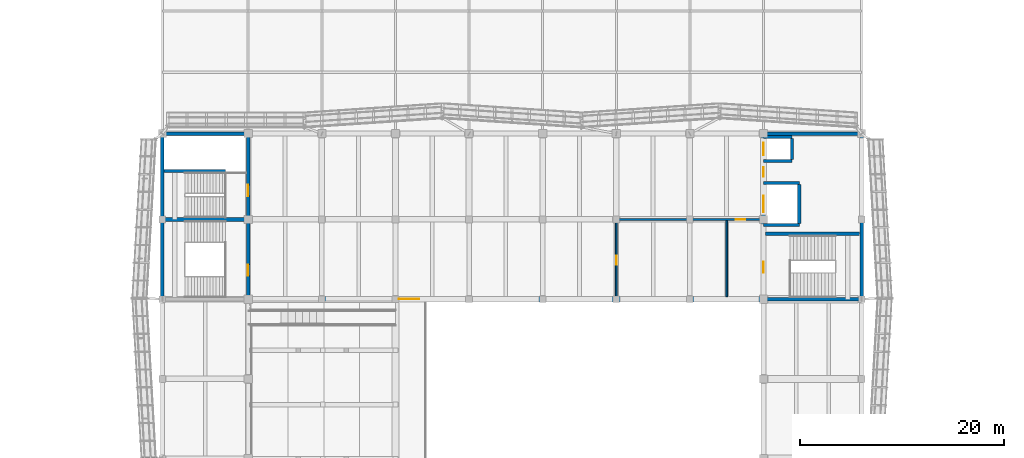
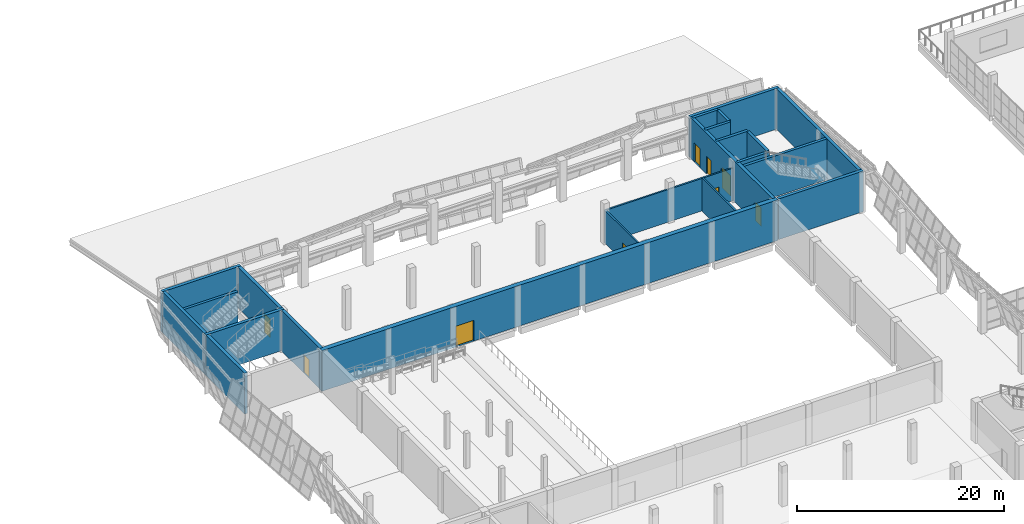
# One storey, part 67 of 79: 22 walls, 9 doors, 9 openings.
"""IFC4 building model written with IfcOpenShell, lengths in metres."""

from ifc_helpers import new_model, si_unit, direction, frame, frame_2d, origin, place, context, subcontext, project, spatial, rectangle, extrude, material, layer, layer_set, type_object, element, fill, save


model = new_model("IFC4")

# Units and contexts
model_context = context("Model", 3, precision=1e-05, world=origin(), true_north=direction((0.0, 1.0)))
body_context = subcontext(model_context, "Body", "Model", "MODEL_VIEW")
ifc_project = project(units=[si_unit("LENGTHUNIT", "METRE"), si_unit("AREAUNIT", "SQUARE_METRE"), si_unit("VOLUMEUNIT", "CUBIC_METRE"), si_unit("PLANEANGLEUNIT", "RADIAN"), si_unit("MASSUNIT", "GRAM", prefix="KILO")], contexts=[model_context])

# Site, building, storey
site_placement = place(None, origin())
site = spatial("IfcSite", under=ifc_project, at=site_placement, CompositionType="ELEMENT")
building_placement = place(site_placement, origin())
building = spatial("IfcBuilding", under=site, at=building_placement, Name="Pellamere Symphony Hall", CompositionType="ELEMENT")
storey_placement = place(building_placement, frame((0.0, 0.0, 10.199951171875)))
storey = spatial("IfcBuildingStorey", under=building, at=storey_placement, Name="L02", CompositionType="ELEMENT", Elevation=10.199951171875)

# Wall, opening, door
ifc_material_1 = material(Name="Moisture-Resistant Ceramic-Tiled Washroom Wall", Category="gypsum")
ifc_layer_1 = layer(ifc_material_1, 0.179931640625, Name="Moisture-Resistant Ceramic-Tiled Washroom Wall")
ifc_layer_set_1 = layer_set([ifc_layer_1], Name="Moisture-Resistant Ceramic-Tiled Washroom Wall")
wall_type_1 = type_object("IfcWallType", Name="Interior Partition IW-06 180mm", PredefinedType="PARTITIONING", material=ifc_layer_set_1)
wall_1_placement = place(storey_placement, frame((94.800048828125, 77.550048828125, 0.0), z_axis=(0.0, 0.0, 1.0), x_axis=(0.0, 1.0, 0.0)))
wall_1 = element("IfcWall", 1, at=wall_1_placement, inside=storey, type_object=wall_type_1, Name="Interior Partition IW-06-081 (L02)", PredefinedType="PARTITIONING", context=body_context, shape_type="SweptSolid", body=[
    extrude(rectangle(XDim=7.64990234375, YDim=0.179931640625, at=frame_2d((3.824951171875, 0.0))), origin(), (0.0, 0.0, 1.0), 3.8701171875),
])
opening_1_placement = place(wall_1_placement, frame((3.199951171875, 0.0, 0.0)))
opening_1 = element("IfcOpeningElement", 2, at=opening_1_placement, cuts=wall_1, Name="Opening ID-WC1-044", PredefinedType="OPENING", context=body_context, shape_type="SweptSolid", body=[
    extrude(rectangle(XDim=0.919921875, YDim=2.14990234375, at=frame_2d((0.4599609375, 1.074951171875))), frame((0.0, 0.099853515625, 0.0), z_axis=(0.0, -1.0, 0.0), x_axis=(1.0, 0.0, 0.0)), (0.0, 0.0, 1.0), 0.199951171875),
])
ifc_material_2 = material(Name="Accessible Washroom Privacy Door", Category="wood")
door_type_1 = type_object("IfcDoorType", Name="Interior Door ID-WC1 920x2150", OperationType="NOTDEFINED", PredefinedType="DOOR", material=ifc_material_2)
door_1_placement = place(opening_1_placement, origin())
door_1 = element("IfcDoor", 3, at=door_1_placement, inside=storey, type_object=door_type_1, Name="Upper Circle Washrooms Door", OperationType="SINGLE_SWING_RIGHT", OverallHeight=2.14990234375, OverallWidth=0.919921875, PredefinedType="DOOR", context=body_context, shape_type="SweptSolid", body=[
    extrude(rectangle(XDim=0.919921875, YDim=2.14990234375, at=frame_2d((0.4599609375, 1.074951171875))), frame((0.0, 0.02490234375, 0.0), z_axis=(0.0, -1.0, 0.0), x_axis=(1.0, 0.0, 0.0)), (0.0, 0.0, 1.0), 0.050048828125),
])
fill(opening_1, door_1)

wall_2_placement = place(storey_placement, frame((94.889892578125, 85.199951171875, 0.0), z_axis=(0.0, 0.0, 1.0), x_axis=(1.0, 0.0, 0.0)))
wall_2 = element("IfcWall", 4, at=wall_2_placement, inside=storey, type_object=wall_type_1, Name="Interior Partition IW-06-082 (L02)", PredefinedType="PARTITIONING", context=body_context, shape_type="SweptSolid", body=[
    extrude(rectangle(XDim=14.130126953125, YDim=0.179931640625, at=frame_2d((7.06494140625, 0.0))), origin(), (0.0, 0.0, 1.0), 3.840087890625),
])
opening_2_placement = place(wall_2_placement, frame((11.60009765625, 0.0, 0.0)))
opening_2 = element("IfcOpeningElement", 5, at=opening_2_placement, cuts=wall_2, Name="Opening ID-WC1-045", PredefinedType="OPENING", context=body_context, shape_type="SweptSolid", body=[
    extrude(rectangle(XDim=0.919921875, YDim=2.14990234375, at=frame_2d((0.4599609375, 1.074951171875))), frame((0.0, 0.099853515625, 0.0), z_axis=(0.0, -1.0, 0.0), x_axis=(1.0, 0.0, 0.0)), (0.0, 0.0, 1.0), 0.199951171875),
])
door_2_placement = place(opening_2_placement, origin())
door_2 = element("IfcDoor", 6, at=door_2_placement, inside=storey, type_object=door_type_1, Name="Upper Circle Accessible WC Door", OperationType="SINGLE_SWING_LEFT", OverallHeight=2.14990234375, OverallWidth=0.919921875, PredefinedType="DOOR", context=body_context, shape_type="SweptSolid", body=[
    extrude(rectangle(XDim=0.919921875, YDim=2.14990234375, at=frame_2d((0.4599609375, 1.074951171875))), frame((0.0, 0.02490234375, 0.0), z_axis=(0.0, -1.0, 0.0), x_axis=(1.0, 0.0, 0.0)), (0.0, 0.0, 1.0), 0.050048828125),
])
fill(opening_2, door_2)

# Walls
wall_3_placement = place(storey_placement, frame((105.60009765625, 77.659912109375, 0.0), z_axis=(0.0, 0.0, 1.0), x_axis=(0.0, 1.0, 0.0)))
element("IfcWall", 7, at=wall_3_placement, inside=storey, type_object=wall_type_1, Name="Interior Partition IW-06-083 (L02)", PredefinedType="PARTITIONING", context=body_context, shape_type="SweptSolid", body=[
    extrude(rectangle(XDim=7.440185546875, YDim=0.179931640625, at=frame_2d((3.72021484375, 0.0))), origin(), (0.0, 0.0, 1.0), 3.955078125),
])
ifc_material_3 = material(Name="Concrete 40 MPa", Category="concrete")
ifc_layer_2 = layer(ifc_material_3, 0.35009765625, Name="Concrete 40 MPa")
ifc_layer_set_2 = layer_set([ifc_layer_2], Name="Concrete 40 MPa")
wall_type_2 = type_object("IfcWallType", Name="Structural Wall SW-03 350mm", PredefinedType="SHEAR", material=ifc_layer_set_2)
wall_4_placement = place(storey_placement, frame((109.52001953125, 77.39990234375, 0.0), z_axis=(0.0, 0.0, 1.0), x_axis=(1.0, 0.0, 0.0)))
element("IfcWall", 8, at=wall_4_placement, inside=storey, type_object=wall_type_2, Name="Core Shear Wall C4 S (L02)", PredefinedType="SHEAR", context=body_context, shape_type="SweptSolid", body=[
    extrude(rectangle(XDim=9.455078125, YDim=0.35009765625, at=frame_2d((4.7275390625, 0.0))), origin(), (0.0, 0.0, 1.0), 4.800048828125),
])
wall_5_placement = place(storey_placement, frame((109.02490234375, 93.60009765625, 0.0), z_axis=(0.0, 0.0, 1.0), x_axis=(1.0, 0.0, 0.0)))
element("IfcWall", 9, at=wall_5_placement, inside=storey, type_object=wall_type_2, Name="Core Shear Wall C4 N (L02)", PredefinedType="SHEAR", context=body_context, shape_type="SweptSolid", body=[
    extrude(rectangle(XDim=9.9501953125, YDim=0.35009765625, at=frame_2d((4.97509765625, 0.0))), origin(), (0.0, 0.0, 1.0), 4.800048828125),
])

# Wall, openings, doors
wall_6_placement = place(storey_placement, frame((109.199951171875, 77.574951171875, 0.0), z_axis=(0.0, 0.0, 1.0), x_axis=(0.0, 1.0, 0.0)))
wall_6 = element("IfcWall", 10, at=wall_6_placement, inside=storey, type_object=wall_type_2, Name="Core Shear Wall C4 W (L02)", PredefinedType="SHEAR", context=body_context, shape_type="SweptSolid", body=[
    extrude(rectangle(XDim=15.85009765625, YDim=0.35009765625, at=frame_2d((7.925048828125, 0.0))), origin(), (0.0, 0.0, 1.0), 4.800048828125),
])
opening_3_placement = place(wall_6_placement, frame((8.324951171875, 0.0, 0.0)))
opening_3 = element("IfcOpeningElement", 11, at=opening_3_placement, cuts=wall_6, Name="Opening LD-48", PredefinedType="OPENING", context=body_context, shape_type="SweptSolid", body=[
    extrude(rectangle(XDim=1.60009765625, YDim=2.39990234375, at=frame_2d((0.800048828125, 1.199951171875))), frame((0.0, 0.18505859375, 0.0), z_axis=(0.0, -1.0, 0.0), x_axis=(1.0, 0.0, 0.0)), (0.0, 0.0, 1.0), 0.3701171875),
])
opening_4_placement = place(wall_6_placement, frame((13.925048828125, 0.0, 0.0)))
opening_4 = element("IfcOpeningElement", 12, at=opening_4_placement, cuts=wall_6, Name="Opening LD-53", PredefinedType="OPENING", context=body_context, shape_type="SweptSolid", body=[
    extrude(rectangle(XDim=1.199951171875, YDim=2.199951171875, at=frame_2d((0.60009765625, 1.10009765625))), frame((0.0, 0.18505859375, 0.0), z_axis=(0.0, -1.0, 0.0), x_axis=(1.0, 0.0, 0.0)), (0.0, 0.0, 1.0), 0.3701171875),
])
opening_5_placement = place(wall_6_placement, frame((11.7900390625, 0.0, 0.0)))
opening_5 = element("IfcOpeningElement", 13, at=opening_5_placement, cuts=wall_6, Name="Opening FD-125", PredefinedType="OPENING", context=body_context, shape_type="SweptSolid", body=[
    extrude(rectangle(XDim=0.949951171875, YDim=2.10009765625, at=frame_2d((0.47509765625, 1.050048828125))), frame((0.0, 0.18505859375, 0.0), z_axis=(0.0, -1.0, 0.0), x_axis=(1.0, 0.0, 0.0)), (0.0, 0.0, 1.0), 0.3701171875),
])
opening_6_placement = place(wall_6_placement, frame((2.39990234375, 0.0, 0.0)))
opening_6 = element("IfcOpeningElement", 14, at=opening_6_placement, cuts=wall_6, Name="Opening SD-20", PredefinedType="OPENING", context=body_context, shape_type="SweptSolid", body=[
    extrude(rectangle(XDim=1.10009765625, YDim=2.199951171875, at=frame_2d((0.550048828125, 1.10009765625))), frame((0.0, 0.18505859375, 0.0), z_axis=(0.0, -1.0, 0.0), x_axis=(1.0, 0.0, 0.0)), (0.0, 0.0, 1.0), 0.3701171875),
])
ifc_material_4 = material(Name="Two-Hour Fire-Rated Steel Compartment Door", Category="steel")
door_type_2 = type_object("IfcDoorType", Name="Interior Door ID-FD3 950x2100", OperationType="NOTDEFINED", PredefinedType="DOOR", material=ifc_material_4)
door_3_placement = place(opening_5_placement, origin())
door_3 = element("IfcDoor", 15, at=door_3_placement, inside=storey, type_object=door_type_2, Name="Core C4 Stage Service and Riser Door (L02)", OperationType="SINGLE_SWING_RIGHT", OverallHeight=2.10009765625, OverallWidth=0.949951171875, PredefinedType="DOOR", context=body_context, shape_type="SweptSolid", body=[
    extrude(rectangle(XDim=0.949951171875, YDim=2.10009765625, at=frame_2d((0.47509765625, 1.050048828125))), frame((0.0, 0.02490234375, 0.0), z_axis=(0.0, -1.0, 0.0), x_axis=(1.0, 0.0, 0.0)), (0.0, 0.0, 1.0), 0.050048828125),
])
fill(opening_5, door_3)
ifc_material_5 = material(Name="Stainless Steel AISI 316 Elevator Landing Door", Category="steel")
door_type_3 = type_object("IfcDoorType", Name="Interior Door ID-LD1 1200x2200", OperationType="NOTDEFINED", PredefinedType="DOOR", material=ifc_material_5)
door_4_placement = place(opening_4_placement, origin())
door_4 = element("IfcDoor", 16, at=door_4_placement, inside=storey, type_object=door_type_3, Name="Elevator PL6 Sliding Landing Door (L02)", OperationType="SLIDING_TO_LEFT", OverallHeight=2.199951171875, OverallWidth=1.199951171875, PredefinedType="DOOR", context=body_context, shape_type="SweptSolid", body=[
    extrude(rectangle(XDim=1.199951171875, YDim=2.199951171875, at=frame_2d((0.60009765625, 1.10009765625))), frame((0.0, 0.02490234375, 0.0), z_axis=(0.0, -1.0, 0.0), x_axis=(1.0, 0.0, 0.0)), (0.0, 0.0, 1.0), 0.050048828125),
])
fill(opening_4, door_4)
ifc_material_6 = material(Name="Heavy-Duty Stainless Freight Elevator Landing Door", Category="steel")
door_type_4 = type_object("IfcDoorType", Name="Interior Door ID-LD2 1600x2400", OperationType="NOTDEFINED", PredefinedType="DOOR", material=ifc_material_6)
door_5_placement = place(opening_3_placement, origin())
door_5 = element("IfcDoor", 17, at=door_5_placement, inside=storey, type_object=door_type_4, Name="Elevator GL1 Sliding Landing Door (L02)", OperationType="SLIDING_TO_RIGHT", OverallHeight=2.39990234375, OverallWidth=1.60009765625, PredefinedType="DOOR", context=body_context, shape_type="SweptSolid", body=[
    extrude(rectangle(XDim=1.60009765625, YDim=2.39990234375, at=frame_2d((0.800048828125, 1.199951171875))), frame((0.0, 0.02490234375, 0.0), z_axis=(0.0, -1.0, 0.0), x_axis=(1.0, 0.0, 0.0)), (0.0, 0.0, 1.0), 0.050048828125),
])
fill(opening_3, door_5)
ifc_material_7 = material(Name="Fire-Rated Steel Exit Stair Door", Category="steel")
door_type_5 = type_object("IfcDoorType", Name="Interior Door ID-SD1 1100x2200", OperationType="NOTDEFINED", PredefinedType="DOOR", material=ifc_material_7)
door_6_placement = place(opening_6_placement, frame((1.10009765625, 0.0, 0.0), z_axis=(0.0, 0.0, 1.0), x_axis=(-1.0, 0.0, 0.0)))
door_6 = element("IfcDoor", 18, at=door_6_placement, inside=storey, type_object=door_type_5, Name="Core C4 Exit Stair Door (L02)", OperationType="SINGLE_SWING_RIGHT", OverallHeight=2.199951171875, OverallWidth=1.10009765625, PredefinedType="DOOR", context=body_context, shape_type="SweptSolid", body=[
    extrude(rectangle(XDim=1.10009765625, YDim=2.199951171875, at=frame_2d((0.550048828125, 1.10009765625))), frame((0.0, 0.02490234375, 0.0), z_axis=(0.0, -1.0, 0.0), x_axis=(1.0, 0.0, 0.0)), (0.0, 0.0, 1.0), 0.050048828125),
])
fill(opening_6, door_6)

# Walls
wall_7_placement = place(storey_placement, frame((118.800048828125, 77.574951171875, 0.0), z_axis=(0.0, 0.0, 1.0), x_axis=(0.0, 1.0, 0.0)))
element("IfcWall", 19, at=wall_7_placement, inside=storey, type_object=wall_type_2, Name="Core Shear Wall C4 E (L02)", PredefinedType="SHEAR", context=body_context, shape_type="SweptSolid", body=[
    extrude(rectangle(XDim=15.85009765625, YDim=0.35009765625, at=frame_2d((7.925048828125, 0.0))), origin(), (0.0, 0.0, 1.0), 4.800048828125),
])
wall_8_placement = place(storey_placement, frame((50.22509765625, 85.199951171875, 0.0), z_axis=(0.0, 0.0, 1.0), x_axis=(1.0, 0.0, 0.0)))
element("IfcWall", 20, at=wall_8_placement, inside=storey, type_object=wall_type_2, Name="Stair ST07 Enclosure Wall N (L02)", PredefinedType="SHEAR", context=body_context, shape_type="SweptSolid", body=[
    extrude(rectangle(XDim=8.75, YDim=0.35009765625, at=frame_2d((4.375, 0.0))), origin(), (0.0, 0.0, 1.0), 4.800048828125),
])
wall_9_placement = place(storey_placement, frame((50.39990234375, 77.574951171875, 0.0), z_axis=(0.0, 0.0, 1.0), x_axis=(0.0, 1.0, 0.0)))
element("IfcWall", 21, at=wall_9_placement, inside=storey, type_object=wall_type_2, Name="Stair ST07 Enclosure Wall W (L02)", PredefinedType="SHEAR", context=body_context, shape_type="SweptSolid", body=[
    extrude(rectangle(XDim=7.449951171875, YDim=0.35009765625, at=frame_2d((3.72509765625, 0.0))), origin(), (0.0, 0.0, 1.0), 4.800048828125),
])

# Wall, opening, door
wall_10_placement = place(storey_placement, frame((58.800048828125, 77.574951171875, 0.0), z_axis=(0.0, 0.0, 1.0), x_axis=(0.0, 1.0, 0.0)))
wall_10 = element("IfcWall", 22, at=wall_10_placement, inside=storey, type_object=wall_type_2, Name="Stair ST07 Enclosure Wall E (L02)", PredefinedType="SHEAR", context=body_context, shape_type="SweptSolid", body=[
    extrude(rectangle(XDim=7.449951171875, YDim=0.35009765625, at=frame_2d((3.72509765625, 0.0))), origin(), (0.0, 0.0, 1.0), 4.800048828125),
])
opening_7_placement = place(wall_10_placement, frame((2.10009765625, 0.0, 0.0)))
opening_7 = element("IfcOpeningElement", 23, at=opening_7_placement, cuts=wall_10, Name="Opening SD-40", PredefinedType="OPENING", context=body_context, shape_type="SweptSolid", body=[
    extrude(rectangle(XDim=1.10009765625, YDim=2.199951171875, at=frame_2d((0.550048828125, 1.10009765625))), frame((0.0, 0.18505859375, 0.0), z_axis=(0.0, -1.0, 0.0), x_axis=(1.0, 0.0, 0.0)), (0.0, 0.0, 1.0), 0.3701171875),
])
door_7_placement = place(opening_7_placement, origin())
door_7 = element("IfcDoor", 24, at=door_7_placement, inside=storey, type_object=door_type_5, Name="Exit Stair ST07 Door (L02)", OperationType="SINGLE_SWING_RIGHT", OverallHeight=2.199951171875, OverallWidth=1.10009765625, PredefinedType="DOOR", context=body_context, shape_type="SweptSolid", body=[
    extrude(rectangle(XDim=1.10009765625, YDim=2.199951171875, at=frame_2d((0.550048828125, 1.10009765625))), frame((0.0, 0.02490234375, 0.0), z_axis=(0.0, -1.0, 0.0), x_axis=(1.0, 0.0, 0.0)), (0.0, 0.0, 1.0), 0.050048828125),
])
fill(opening_7, door_7)

# Walls
wall_11_placement = place(storey_placement, frame((50.22509765625, 93.60009765625, 0.0), z_axis=(0.0, 0.0, 1.0), x_axis=(1.0, 0.0, 0.0)))
element("IfcWall", 25, at=wall_11_placement, inside=storey, type_object=wall_type_2, Name="Stair ST13 Enclosure Wall N (L02)", PredefinedType="SHEAR", context=body_context, shape_type="SweptSolid", body=[
    extrude(rectangle(XDim=8.75, YDim=0.35009765625, at=frame_2d((4.375, 0.0))), origin(), (0.0, 0.0, 1.0), 4.800048828125),
])
wall_12_placement = place(storey_placement, frame((50.39990234375, 85.375, 0.0), z_axis=(0.0, 0.0, 1.0), x_axis=(0.0, 1.0, 0.0)))
element("IfcWall", 26, at=wall_12_placement, inside=storey, type_object=wall_type_2, Name="Stair ST13 Enclosure Wall W (L02)", PredefinedType="SHEAR", context=body_context, shape_type="SweptSolid", body=[
    extrude(rectangle(XDim=8.050048828125, YDim=0.35009765625, at=frame_2d((4.02490234375, 0.0))), origin(), (0.0, 0.0, 1.0), 4.800048828125),
])

# Wall, opening, door
wall_13_placement = place(storey_placement, frame((58.800048828125, 85.375, 0.0), z_axis=(0.0, 0.0, 1.0), x_axis=(0.0, 1.0, 0.0)))
wall_13 = element("IfcWall", 27, at=wall_13_placement, inside=storey, type_object=wall_type_2, Name="Stair ST13 Enclosure Wall E (L02)", PredefinedType="SHEAR", context=body_context, shape_type="SweptSolid", body=[
    extrude(rectangle(XDim=8.050048828125, YDim=0.35009765625, at=frame_2d((4.02490234375, 0.0))), origin(), (0.0, 0.0, 1.0), 4.800048828125),
])
opening_8_placement = place(wall_13_placement, frame((2.10009765625, 0.0, 0.0)))
opening_8 = element("IfcOpeningElement", 28, at=opening_8_placement, cuts=wall_13, Name="Opening SD-61", PredefinedType="OPENING", context=body_context, shape_type="SweptSolid", body=[
    extrude(rectangle(XDim=1.10009765625, YDim=2.199951171875, at=frame_2d((0.550048828125, 1.10009765625))), frame((0.0, 0.18505859375, 0.0), z_axis=(0.0, -1.0, 0.0), x_axis=(1.0, 0.0, 0.0)), (0.0, 0.0, 1.0), 0.3701171875),
])
door_8_placement = place(opening_8_placement, origin())
door_8 = element("IfcDoor", 29, at=door_8_placement, inside=storey, type_object=door_type_5, Name="Exit Stair ST13 Door (L02)", OperationType="SINGLE_SWING_LEFT", OverallHeight=2.199951171875, OverallWidth=1.10009765625, PredefinedType="DOOR", context=body_context, shape_type="SweptSolid", body=[
    extrude(rectangle(XDim=1.10009765625, YDim=2.199951171875, at=frame_2d((0.550048828125, 1.10009765625))), frame((0.0, 0.02490234375, 0.0), z_axis=(0.0, -1.0, 0.0), x_axis=(1.0, 0.0, 0.0)), (0.0, 0.0, 1.0), 0.050048828125),
])
fill(opening_8, door_8)

# Walls
ifc_layer_3 = layer(ifc_material_3, 0.300048828125, Name="Concrete 40 MPa")
ifc_layer_set_3 = layer_set([ifc_layer_3], Name="Concrete 40 MPa")
wall_type_3 = type_object("IfcWallType", Name="Structural Wall SW-04 300mm", PredefinedType="SHEAR", material=ifc_layer_set_3)
wall_14_placement = place(storey_placement, frame((50.56494140625, 89.949951171875, 0.0), z_axis=(0.0, 0.0, 1.0), x_axis=(1.0, 0.0, 0.0)))
element("IfcWall", 30, at=wall_14_placement, inside=storey, type_object=wall_type_3, Name="Stair ST13 Discharge Divider Wall (L02)", PredefinedType="SHEAR", context=body_context, shape_type="SweptSolid", body=[
    extrude(rectangle(XDim=6.010009765625, YDim=0.300048828125, at=frame_2d((3.0048828125, 0.0))), origin(), (0.0, 0.0, 1.0), 4.800048828125),
])
for number, where, z_axis, x_axis, name in (
    (31, (109.199951171875, 84.64990234375, 0.0), (0.0, 0.0, 1.0), (1.0, 0.0, 0.0), "Elevator GL1 Hoistway Wall S (L02)"),
    (32, (109.199951171875, 88.75, 0.0), (0.0, 0.0, 1.0), (1.0, 0.0, 0.0), "Elevator GL1 Hoistway Wall N (L02)"),
):
    element("IfcWall", number, at=place(storey_placement, frame(where, z_axis=z_axis, x_axis=x_axis)), inside=storey, type_object=wall_type_3, Name=name, PredefinedType="SHEAR", context=body_context, shape_type="SweptSolid", body=[
        extrude(rectangle(XDim=3.5, YDim=0.300048828125, at=frame_2d((1.75, 0.0))), origin(), (0.0, 0.0, 1.0), 4.800048828125),
    ])
wall_15_placement = place(storey_placement, frame((112.699951171875, 84.800048828125, 0.0), z_axis=(0.0, 0.0, 1.0), x_axis=(0.0, 1.0, 0.0)))
element("IfcWall", 33, at=wall_15_placement, inside=storey, type_object=wall_type_3, Name="Elevator GL1 Hoistway Wall E (L02)", PredefinedType="SHEAR", context=body_context, shape_type="SweptSolid", body=[
    extrude(rectangle(XDim=3.800048828125, YDim=0.300048828125, at=frame_2d((1.89990234375, 0.0))), origin(), (0.0, 0.0, 1.0), 4.800048828125),
])
for number, where, z_axis, x_axis, name in (
    (34, (109.199951171875, 90.925048828125, 0.0), (0.0, 0.0, 1.0), (1.0, 0.0, 0.0), "Elevator PL6 Hoistway Wall S (L02)"),
    (35, (109.199951171875, 93.27490234375, 0.0), (0.0, 0.0, 1.0), (1.0, 0.0, 0.0), "Elevator PL6 Hoistway Wall N (L02)"),
):
    element("IfcWall", number, at=place(storey_placement, frame(where, z_axis=z_axis, x_axis=x_axis)), inside=storey, type_object=wall_type_3, Name=name, PredefinedType="SHEAR", context=body_context, shape_type="SweptSolid", body=[
        extrude(rectangle(XDim=2.800048828125, YDim=0.300048828125, at=frame_2d((1.39990234375, 0.0))), origin(), (0.0, 0.0, 1.0), 4.800048828125),
    ])
wall_16_placement = place(storey_placement, frame((112.0, 91.074951171875, 0.0), z_axis=(0.0, 0.0, 1.0), x_axis=(0.0, 1.0, 0.0)))
element("IfcWall", 36, at=wall_16_placement, inside=storey, type_object=wall_type_3, Name="Elevator PL6 Hoistway Wall E (L02)", PredefinedType="SHEAR", context=body_context, shape_type="SweptSolid", body=[
    extrude(rectangle(XDim=2.050048828125, YDim=0.300048828125, at=frame_2d((1.02490234375, 0.0))), origin(), (0.0, 0.0, 1.0), 4.800048828125),
])

# Wall, opening, door
ifc_material_8 = material(Name="Architectural warm-pigmented concrete 40 MPa", Category="concrete")
ifc_layer_4 = layer(ifc_material_8, 0.5, Name="Architectural warm-pigmented concrete 40 MPa")
ifc_layer_set_4 = layer_set([ifc_layer_4], Name="Architectural warm-pigmented concrete 40 MPa")
wall_type_4 = type_object("IfcWallType", Name="Structural Wall SW-05 500mm", PredefinedType="SOLIDWALL", material=ifc_layer_set_4)
wall_17_placement = place(storey_placement, frame((58.590087890625, 77.39990234375, 0.0), z_axis=(0.0, 0.0, 1.0), x_axis=(1.0, 0.0, 0.0)))
wall_17 = element("IfcWall", 37, at=wall_17_placement, inside=storey, type_object=wall_type_4, Name="Main Hall Acoustic Box Wall AW1-N (L02)", PredefinedType="SOLIDWALL", context=body_context, shape_type="SweptSolid", body=[
    extrude(rectangle(XDim=50.81982421875, YDim=0.5, at=frame_2d((25.409912109375, 0.0))), origin(), (0.0, 0.0, 1.0), 4.800048828125),
])
opening_9_placement = place(wall_17_placement, frame((14.949951171875, 0.0, 0.0)))
opening_9 = element("IfcOpeningElement", 38, at=opening_9_placement, cuts=wall_17, Name="Opening AD-08", PredefinedType="OPENING", context=body_context, shape_type="SweptSolid", body=[
    extrude(rectangle(XDim=2.0, YDim=2.449951171875, at=frame_2d((1.0, 1.22509765625))), frame((0.0, 0.260009765625, 0.0), z_axis=(0.0, -1.0, 0.0), x_axis=(1.0, 0.0, 0.0)), (0.0, 0.0, 1.0), 0.52001953125),
])
ifc_material_9 = material(Name="STC-55 Solid White Oak Acoustic Hall Entry Door", Category="wood")
door_type_6 = type_object("IfcDoorType", Name="Interior Door ID-AD1 2000x2450", OperationType="NOTDEFINED", PredefinedType="DOOR", material=ifc_material_9)
door_9_placement = place(opening_9_placement, origin())
door_9 = element("IfcDoor", 39, at=door_9_placement, inside=storey, type_object=door_type_6, Name="Main Hall L02 Balcony Acoustic Entry Door N", OperationType="DOUBLE_DOOR_SINGLE_SWING", OverallHeight=2.449951171875, OverallWidth=2.0, PredefinedType="DOOR", context=body_context, shape_type="SweptSolid", body=[
    extrude(rectangle(XDim=2.0, YDim=2.449951171875, at=frame_2d((1.0, 1.22509765625))), frame((0.0, 0.02490234375, 0.0), z_axis=(0.0, -1.0, 0.0), x_axis=(1.0, 0.0, 0.0)), (0.0, 0.0, 1.0), 0.050048828125),
])
fill(opening_9, door_9)

# Wall
ifc_layer_5 = layer(ifc_material_3, 0.31005859375, Name="Concrete 40 MPa")
ifc_layer_set_5 = layer_set([ifc_layer_5], Name="Concrete 40 MPa")
wall_type_5 = type_object("IfcWallType", Name="Structural Wall SW-08 310mm", PredefinedType="SHEAR", material=ifc_layer_set_5)
wall_18_placement = place(storey_placement, frame((109.39501953125, 83.800048828125, 0.0), z_axis=(0.0, 0.0, 1.0), x_axis=(1.0, 0.0, 0.0)))
element("IfcWall", 40, at=wall_18_placement, inside=storey, type_object=wall_type_5, Name="Core Stair Divider Wall C4 (L02)", PredefinedType="SHEAR", context=body_context, shape_type="SweptSolid", body=[
    extrude(rectangle(XDim=9.2099609375, YDim=0.31005859375, at=frame_2d((4.60498046875, 0.0))), origin(), (0.0, 0.0, 1.0), 4.800048828125),
])

save(model, "model.ifc")
